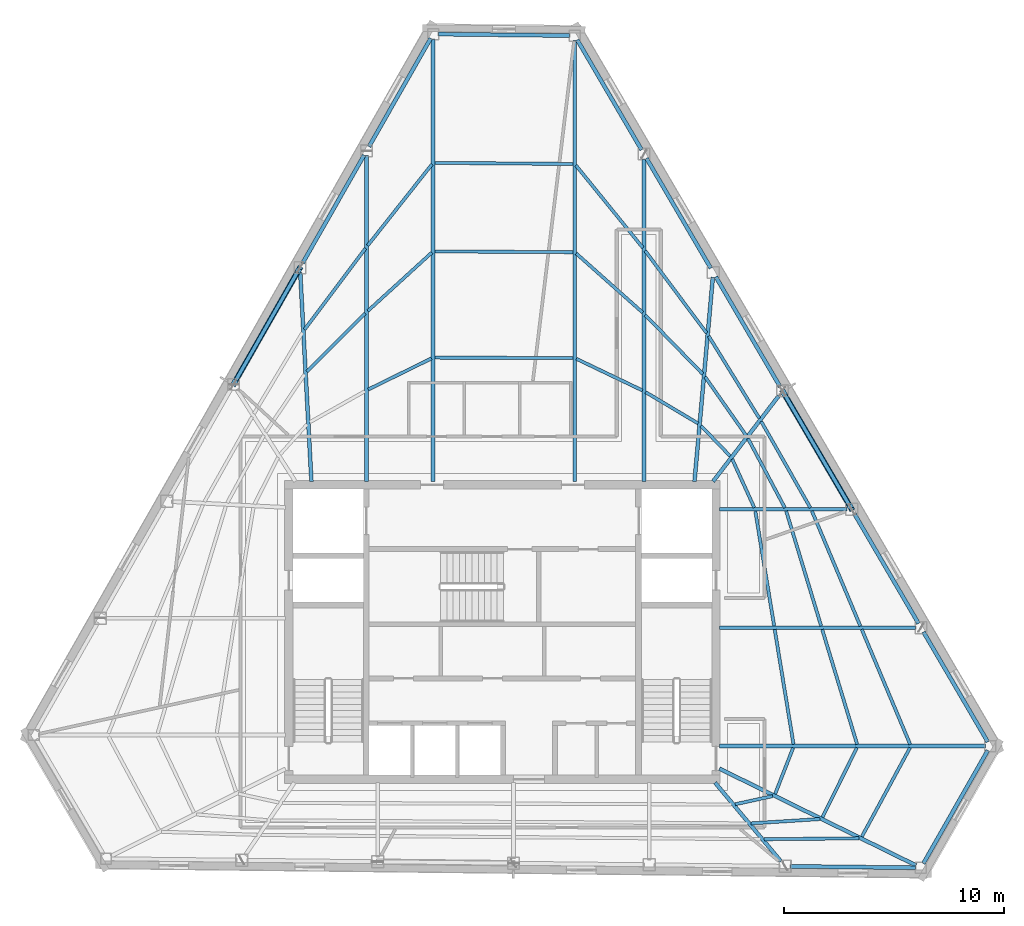
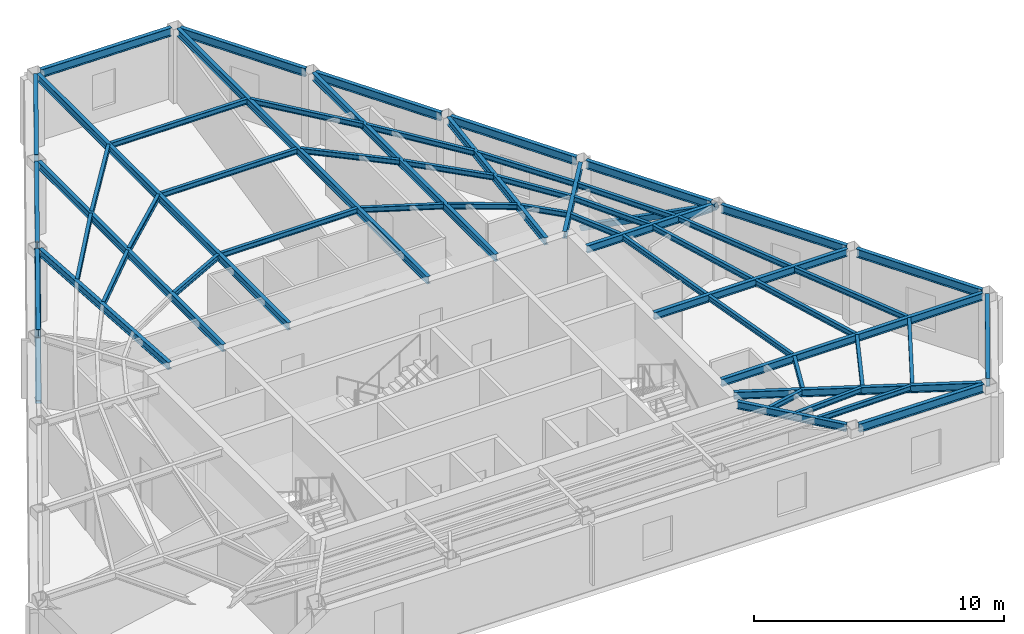
# One storey, part 2 of 10: 56 beams, 2 members.
"""IFC4 building model written with IfcOpenShell, lengths in metres."""

from ifc_helpers import new_model, si_unit, direction, frame, origin, origin_2d, place, context, subcontext, project, spatial, hollow_rectangle, i_section, extrude, material, material_profile, profile_set, type_object, element, save


model = new_model("IFC4")

# Units and contexts
model_context = context("Model", 3, precision=1e-05, world=origin(), true_north=direction((0.0, 1.0)))
body_context = subcontext(model_context, "Body", "Model", "MODEL_VIEW")
ifc_project = project(units=[si_unit("LENGTHUNIT", "METRE"), si_unit("AREAUNIT", "SQUARE_METRE"), si_unit("VOLUMEUNIT", "CUBIC_METRE"), si_unit("PLANEANGLEUNIT", "RADIAN"), si_unit("MASSUNIT", "GRAM", prefix="KILO")], contexts=[model_context])

# Site, building, storey
site_placement = place(None, origin())
site = spatial("IfcSite", under=ifc_project, at=site_placement, CompositionType="ELEMENT")
building_placement = place(site_placement, origin())
building = spatial("IfcBuilding", under=site, at=building_placement, Name="Kavelnor Concourse Tower", CompositionType="ELEMENT")
storey_placement = place(building_placement, frame((0.0, 0.0, 254.89990234375)))
storey = spatial("IfcBuildingStorey", under=building, at=storey_placement, Name="L64", CompositionType="ELEMENT", Elevation=254.89990234375)

# Beams
ifc_material = material(Name="Steel Grade 350", Category="steel")
ifc_material_profile_1 = material_profile(ifc_material, i_section(OverallWidth=0.14599609375, OverallDepth=0.256103515625, WebThickness=0.00634765625, FlangeThickness=0.010986328125, at=origin_2d()), Name="250UB37")
ifc_profile_set_1 = profile_set([ifc_material_profile_1], Name="Steel Grade 350")
beam_type_1 = type_object("IfcBeamType", Name="BM-JOIST-250", PredefinedType="JOIST", material=ifc_profile_set_1)
beam_1_placement = place(storey_placement, frame((48.584228515625, 8.26708984375, 3.482177734375), z_axis=(0.977091565739, 0.212819341606, 0.0), x_axis=(-0.212819341606, 0.977091565739, 0.0)))
element("IfcBeam", 1, at=beam_1_placement, inside=storey, type_object=beam_type_1, Name="L64 Secondary Composite Joist 07-1", PredefinedType="JOIST", context=body_context, shape_type="SweptSolid", body=[
    extrude(i_section(OverallWidth=0.14599609375, OverallDepth=0.256103515625, WebThickness=0.00634765625, FlangeThickness=0.010986328125, at=origin_2d()), origin(), (0.0, 0.0, 1.0), 1.74267578125),
])
beam_2_placement = place(storey_placement, frame((49.30419921875, 7.396728515625, 3.482177734375), z_axis=(0.998010196757, 0.063052733243, 0.0), x_axis=(-0.063052733243, 0.998010196757, 0.0)))
element("IfcBeam", 2, at=beam_2_placement, inside=storey, type_object=beam_type_1, Name="L64 Secondary Composite Joist 07-2", PredefinedType="JOIST", context=body_context, shape_type="SweptSolid", body=[
    extrude(i_section(OverallWidth=0.14599609375, OverallDepth=0.256103515625, WebThickness=0.00634765625, FlangeThickness=0.010986328125, at=origin_2d()), origin(), (0.0, 0.0, 1.0), 3.132568359375),
])
beam_3_placement = place(storey_placement, frame((49.903076171875, 6.67724609375, 3.482177734375), z_axis=(0.999954281384, 0.009562172441, 0.0), x_axis=(-0.009562172441, 0.999954281384, 0.0)))
element("IfcBeam", 3, at=beam_3_placement, inside=storey, type_object=beam_type_1, Name="L64 Secondary Composite Joist 07-3", PredefinedType="JOIST", context=body_context, shape_type="SweptSolid", body=[
    extrude(i_section(OverallWidth=0.14599609375, OverallDepth=0.256103515625, WebThickness=0.00634765625, FlangeThickness=0.010986328125, at=origin_2d()), origin(), (0.0, 0.0, 1.0), 4.31494140625),
])
beam_4_placement = place(storey_placement, frame((50.396728515625, 8.731689453125, 3.482177734375), z_axis=(0.363938496644, 0.931422981604, 0.0), x_axis=(-0.931422981604, 0.363938496644, 0.0)))
element("IfcBeam", 4, at=beam_4_placement, inside=storey, type_object=beam_type_1, Name="L64 Secondary Composite Joist 08-1", PredefinedType="JOIST", context=body_context, shape_type="SweptSolid", body=[
    extrude(i_section(OverallWidth=0.14599609375, OverallDepth=0.256103515625, WebThickness=0.00634765625, FlangeThickness=0.010986328125, at=origin_2d()), origin(), (0.0, 0.0, 1.0), 2.25732421875),
])
beam_5_placement = place(storey_placement, frame((52.548583984375, 7.6728515625, 3.482177734375), z_axis=(0.443753156488, 0.89614905909, 0.0), x_axis=(-0.89614905909, 0.443753156488, 0.0)))
element("IfcBeam", 5, at=beam_5_placement, inside=storey, type_object=beam_type_1, Name="L64 Secondary Composite Joist 08-2", PredefinedType="JOIST", context=body_context, shape_type="SweptSolid", body=[
    extrude(i_section(OverallWidth=0.14599609375, OverallDepth=0.256103515625, WebThickness=0.00634765625, FlangeThickness=0.010986328125, at=origin_2d()), origin(), (0.0, 0.0, 1.0), 3.531005859375),
])
beam_6_placement = place(storey_placement, frame((54.3388671875, 6.79150390625, 3.482177734375), z_axis=(0.476624814067, 0.879106811836, 0.0), x_axis=(-0.879106811836, 0.476624814067, 0.0)))
element("IfcBeam", 6, at=beam_6_placement, inside=storey, type_object=beam_type_1, Name="L64 Secondary Composite Joist 08-3", PredefinedType="JOIST", context=body_context, shape_type="SweptSolid", body=[
    extrude(i_section(OverallWidth=0.14599609375, OverallDepth=0.256103515625, WebThickness=0.00634765625, FlangeThickness=0.010986328125, at=origin_2d()), origin(), (0.0, 0.0, 1.0), 4.603515625),
])
beam_7_placement = place(storey_placement, frame((51.23486328125, 10.991455078125, 3.482177734375), z_axis=(-0.161600481046, 0.986856263356, 0.0), x_axis=(-0.986856263356, -0.161600481046, 0.0)))
element("IfcBeam", 7, at=beam_7_placement, inside=storey, type_object=beam_type_1, Name="L64 Secondary Composite Joist 09-1", PredefinedType="JOIST", context=body_context, shape_type="SweptSolid", body=[
    extrude(i_section(OverallWidth=0.14599609375, OverallDepth=0.256103515625, WebThickness=0.00634765625, FlangeThickness=0.010986328125, at=origin_2d()), origin(), (0.0, 0.0, 1.0), 5.292236328125),
])
beam_8_placement = place(storey_placement, frame((54.128173828125, 10.989013671875, 3.482177734375), z_axis=(-0.290941123025, 0.956740959159, 0.0), x_axis=(-0.956740959159, -0.290941123025, 0.0)))
element("IfcBeam", 8, at=beam_8_placement, inside=storey, type_object=beam_type_1, Name="L64 Secondary Composite Joist 09-2", PredefinedType="JOIST", context=body_context, shape_type="SweptSolid", body=[
    extrude(i_section(OverallWidth=0.14599609375, OverallDepth=0.256103515625, WebThickness=0.00634765625, FlangeThickness=0.010986328125, at=origin_2d()), origin(), (0.0, 0.0, 1.0), 5.463623046875),
])
beam_9_placement = place(storey_placement, frame((56.540283203125, 10.986083984375, 3.482177734375), z_axis=(-0.388047388956, 0.921639421859, 0.0), x_axis=(-0.921639421859, -0.388047388956, 0.0)))
element("IfcBeam", 9, at=beam_9_placement, inside=storey, type_object=beam_type_1, Name="L64 Secondary Composite Joist 09-3", PredefinedType="JOIST", context=body_context, shape_type="SweptSolid", body=[
    extrude(i_section(OverallWidth=0.14599609375, OverallDepth=0.256103515625, WebThickness=0.00634765625, FlangeThickness=0.010986328125, at=origin_2d()), origin(), (0.0, 0.0, 1.0), 5.677978515625),
])
beam_10_placement = place(storey_placement, frame((50.353271484375, 16.375732421875, 3.482177734375), z_axis=(-0.161607838348, 0.986855058549, 0.0), x_axis=(-0.986855058549, -0.161607838348, 0.0)))
element("IfcBeam", 10, at=beam_10_placement, inside=storey, type_object=beam_type_1, Name="L64 Secondary Composite Joist 10-1", PredefinedType="JOIST", context=body_context, shape_type="SweptSolid", body=[
    extrude(i_section(OverallWidth=0.14599609375, OverallDepth=0.256103515625, WebThickness=0.00634765625, FlangeThickness=0.010986328125, at=origin_2d()), origin(), (0.0, 0.0, 1.0), 5.2919921875),
])
beam_11_placement = place(storey_placement, frame((52.490966796875, 16.373291015625, 3.482177734375), z_axis=(-0.290941123025, 0.956740959159, 0.0), x_axis=(-0.956740959159, -0.290941123025, 0.0)))
element("IfcBeam", 11, at=beam_11_placement, inside=storey, type_object=beam_type_1, Name="L64 Secondary Composite Joist 10-2", PredefinedType="JOIST", context=body_context, shape_type="SweptSolid", body=[
    extrude(i_section(OverallWidth=0.14599609375, OverallDepth=0.256103515625, WebThickness=0.00634765625, FlangeThickness=0.010986328125, at=origin_2d()), origin(), (0.0, 0.0, 1.0), 5.463623046875),
])
beam_12_placement = place(storey_placement, frame((54.273193359375, 16.37060546875, 3.482177734375), z_axis=(-0.388062766928, 0.921632946961, 0.0), x_axis=(-0.921632946961, -0.388062766928, 0.0)))
element("IfcBeam", 12, at=beam_12_placement, inside=storey, type_object=beam_type_1, Name="L64 Secondary Composite Joist 10-3", PredefinedType="JOIST", context=body_context, shape_type="SweptSolid", body=[
    extrude(i_section(OverallWidth=0.14599609375, OverallDepth=0.256103515625, WebThickness=0.00634765625, FlangeThickness=0.010986328125, at=origin_2d()), origin(), (0.0, 0.0, 1.0), 5.677978515625),
])
beam_13_placement = place(storey_placement, frame((49.450927734375, 21.753662109375, 3.482177734375), z_axis=(-0.414106199902, 0.910228573053, 0.0), x_axis=(-0.910228573053, -0.414106199902, 0.0)))
element("IfcBeam", 13, at=beam_13_placement, inside=storey, type_object=beam_type_1, Name="L64 Secondary Composite Joist 11-1", PredefinedType="JOIST", context=body_context, shape_type="SweptSolid", body=[
    extrude(i_section(OverallWidth=0.14599609375, OverallDepth=0.256103515625, WebThickness=0.00634765625, FlangeThickness=0.010986328125, at=origin_2d()), origin(), (0.0, 0.0, 1.0), 2.426025390625),
])
beam_14_placement = place(storey_placement, frame((50.839111328125, 21.75146484375, 3.482177734375), z_axis=(-0.469495907621, 0.88293464805, 0.0), x_axis=(-0.88293464805, -0.469495907621, 0.0)))
element("IfcBeam", 14, at=beam_14_placement, inside=storey, type_object=beam_type_1, Name="L64 Secondary Composite Joist 11-2", PredefinedType="JOIST", context=body_context, shape_type="SweptSolid", body=[
    extrude(i_section(OverallWidth=0.14599609375, OverallDepth=0.256103515625, WebThickness=0.00634765625, FlangeThickness=0.010986328125, at=origin_2d()), origin(), (0.0, 0.0, 1.0), 3.5625),
])
beam_15_placement = place(storey_placement, frame((51.99755859375, 21.75048828125, 3.482177734375), z_axis=(-0.494455232513, 0.869203096543, 0.0), x_axis=(-0.869203096543, -0.494455232513, 0.0)))
element("IfcBeam", 15, at=beam_15_placement, inside=storey, type_object=beam_type_1, Name="L64 Secondary Composite Joist 11-3", PredefinedType="JOIST", context=body_context, shape_type="SweptSolid", body=[
    extrude(i_section(OverallWidth=0.14599609375, OverallDepth=0.256103515625, WebThickness=0.00634765625, FlangeThickness=0.010986328125, at=origin_2d()), origin(), (0.0, 0.0, 1.0), 4.515380859375),
])
beam_16_placement = place(storey_placement, frame((48.355712890625, 24.095703125, 3.482177734375), z_axis=(-0.693458712292, 0.720496366643, 0.0), x_axis=(-0.720496366643, -0.693458712292, 0.0)))
element("IfcBeam", 16, at=beam_16_placement, inside=storey, type_object=beam_type_1, Name="L64 Secondary Composite Joist 12-1", PredefinedType="JOIST", context=body_context, shape_type="SweptSolid", body=[
    extrude(i_section(OverallWidth=0.14599609375, OverallDepth=0.256103515625, WebThickness=0.00634765625, FlangeThickness=0.010986328125, at=origin_2d()), origin(), (0.0, 0.0, 1.0), 1.92333984375),
])
beam_17_placement = place(storey_placement, frame((49.0810546875, 25.03662109375, 3.482177734375), z_axis=(-0.573950476696, 0.818890011113, 0.0), x_axis=(-0.818890011113, -0.573950476696, 0.0)))
element("IfcBeam", 17, at=beam_17_placement, inside=storey, type_object=beam_type_1, Name="L64 Secondary Composite Joist 12-2", PredefinedType="JOIST", context=body_context, shape_type="SweptSolid", body=[
    extrude(i_section(OverallWidth=0.14599609375, OverallDepth=0.256103515625, WebThickness=0.00634765625, FlangeThickness=0.010986328125, at=origin_2d()), origin(), (0.0, 0.0, 1.0), 3.25537109375),
])
beam_18_placement = place(storey_placement, frame((49.681396484375, 25.81640625, 3.482177734375), z_axis=(-0.524745132544, 0.851259388125, 0.0), x_axis=(-0.851259388125, -0.524745132544, 0.0)))
element("IfcBeam", 18, at=beam_18_placement, inside=storey, type_object=beam_type_1, Name="L64 Secondary Composite Joist 12-3", PredefinedType="JOIST", context=body_context, shape_type="SweptSolid", body=[
    extrude(i_section(OverallWidth=0.14599609375, OverallDepth=0.256103515625, WebThickness=0.00634765625, FlangeThickness=0.010986328125, at=origin_2d()), origin(), (0.0, 0.0, 1.0), 4.394287109375),
])
beam_19_placement = place(storey_placement, frame((46.894775390625, 25.58251953125, 3.482177734375), z_axis=(-0.85885408237, 0.512220328761, 0.0), x_axis=(-0.512220328761, -0.85885408237, 0.0)))
element("IfcBeam", 19, at=beam_19_placement, inside=storey, type_object=beam_type_1, Name="L64 Secondary Composite Joist 13-1", PredefinedType="JOIST", context=body_context, shape_type="SweptSolid", body=[
    extrude(i_section(OverallWidth=0.14599609375, OverallDepth=0.256103515625, WebThickness=0.00634765625, FlangeThickness=0.010986328125, at=origin_2d()), origin(), (0.0, 0.0, 1.0), 2.779296875),
])
beam_20_placement = place(storey_placement, frame((47.1083984375, 27.828369140625, 3.482177734375), z_axis=(-0.697954751692, 0.71614186066, 0.0), x_axis=(-0.71614186066, -0.697954751692, 0.0)))
element("IfcBeam", 20, at=beam_20_placement, inside=storey, type_object=beam_type_1, Name="L64 Secondary Composite Joist 13-2", PredefinedType="JOIST", context=body_context, shape_type="SweptSolid", body=[
    extrude(i_section(OverallWidth=0.14599609375, OverallDepth=0.256103515625, WebThickness=0.00634765625, FlangeThickness=0.010986328125, at=origin_2d()), origin(), (0.0, 0.0, 1.0), 3.745361328125),
])
beam_21_placement = place(storey_placement, frame((47.283203125, 29.692626953125, 3.482177734375), z_axis=(-0.598335731467, 0.801245500736, 0.0), x_axis=(-0.801245500736, -0.598335731467, 0.0)))
element("IfcBeam", 21, at=beam_21_placement, inside=storey, type_object=beam_type_1, Name="L64 Secondary Composite Joist 13-3", PredefinedType="JOIST", context=body_context, shape_type="SweptSolid", body=[
    extrude(i_section(OverallWidth=0.14599609375, OverallDepth=0.256103515625, WebThickness=0.00634765625, FlangeThickness=0.010986328125, at=origin_2d()), origin(), (0.0, 0.0, 1.0), 4.67431640625),
])
beam_22_placement = place(storey_placement, frame((44.36328125, 27.08349609375, 3.482177734375), z_axis=(-0.901929200126, 0.431883917229, 0.0), x_axis=(-0.431883917229, -0.901929200126, 0.0)))
element("IfcBeam", 22, at=beam_22_placement, inside=storey, type_object=beam_type_1, Name="L64 Secondary Composite Joist 14-1", PredefinedType="JOIST", context=body_context, shape_type="SweptSolid", body=[
    extrude(i_section(OverallWidth=0.14599609375, OverallDepth=0.256103515625, WebThickness=0.00634765625, FlangeThickness=0.010986328125, at=origin_2d()), origin(), (0.0, 0.0, 1.0), 3.32666015625),
])
beam_23_placement = place(storey_placement, frame((44.3759765625, 30.623779296875, 3.482177734375), z_axis=(-0.747256282488, 0.664535964627, 0.0), x_axis=(-0.664535964627, -0.747256282488, 0.0)))
element("IfcBeam", 23, at=beam_23_placement, inside=storey, type_object=beam_type_1, Name="L64 Secondary Composite Joist 14-2", PredefinedType="JOIST", context=body_context, shape_type="SweptSolid", body=[
    extrude(i_section(OverallWidth=0.14599609375, OverallDepth=0.256103515625, WebThickness=0.00634765625, FlangeThickness=0.010986328125, at=origin_2d()), origin(), (0.0, 0.0, 1.0), 4.04931640625),
])
beam_24_placement = place(storey_placement, frame((44.385498046875, 33.5673828125, 3.482177734375), z_axis=(-0.630423247611, 0.776251588644, 0.0), x_axis=(-0.776251588644, -0.630423247611, 0.0)))
element("IfcBeam", 24, at=beam_24_placement, inside=storey, type_object=beam_type_1, Name="L64 Secondary Composite Joist 14-3", PredefinedType="JOIST", context=body_context, shape_type="SweptSolid", body=[
    extrude(i_section(OverallWidth=0.14599609375, OverallDepth=0.256103515625, WebThickness=0.00634765625, FlangeThickness=0.010986328125, at=origin_2d()), origin(), (0.0, 0.0, 1.0), 4.830078125),
])
for number, where, z_axis, x_axis, name in (
    (25, (41.206787109375, 28.555908203125, 3.482177734375), (-0.999995038677, 0.003150019372, 0.0), (-0.003150019372, -0.999995038677, 0.0), "L64 Secondary Composite Joist 15-1"),
    (26, (41.206787109375, 33.36962890625, 3.482177734375), (-0.999982986167, 0.0058332989, 0.0), (-0.0058332989, -0.999982986167, 0.0), "L64 Secondary Composite Joist 15-2"),
):
    element("IfcBeam", number, at=place(storey_placement, frame(where, z_axis=z_axis, x_axis=x_axis)), inside=storey, type_object=beam_type_1, Name=name, PredefinedType="JOIST", context=body_context, shape_type="SweptSolid", body=[
        extrude(i_section(OverallWidth=0.14599609375, OverallDepth=0.256103515625, WebThickness=0.00634765625, FlangeThickness=0.010986328125, at=origin_2d()), origin(), (0.0, 0.0, 1.0), 6.27783203125),
    ])
beam_25_placement = place(storey_placement, frame((41.206787109375, 37.381103515625, 3.482177734375), z_axis=(-0.999967599605, 0.008049828619, 0.0), x_axis=(-0.008049828619, -0.999967599605, 0.0)))
element("IfcBeam", 27, at=beam_25_placement, inside=storey, type_object=beam_type_1, Name="L64 Secondary Composite Joist 15-3", PredefinedType="JOIST", context=body_context, shape_type="SweptSolid", body=[
    extrude(i_section(OverallWidth=0.14599609375, OverallDepth=0.256103515625, WebThickness=0.00634765625, FlangeThickness=0.010986328125, at=origin_2d()), origin(), (0.0, 0.0, 1.0), 6.278076171875),
])
beam_26_placement = place(storey_placement, frame((34.773193359375, 28.539794921875, 3.482177734375), z_axis=(-0.897495151022, -0.44102432347, 0.0), x_axis=(0.44102432347, -0.897495151022, 0.0)))
element("IfcBeam", 28, at=beam_26_placement, inside=storey, type_object=beam_type_1, Name="L64 Secondary Composite Joist 16-1", PredefinedType="JOIST", context=body_context, shape_type="SweptSolid", body=[
    extrude(i_section(OverallWidth=0.14599609375, OverallDepth=0.256103515625, WebThickness=0.00634765625, FlangeThickness=0.010986328125, at=origin_2d()), origin(), (0.0, 0.0, 1.0), 3.20849609375),
])
beam_27_placement = place(storey_placement, frame((34.786376953125, 33.351318359375, 3.482177734375), z_axis=(-0.738672230038, -0.674064786627, 0.0), x_axis=(0.674064786627, -0.738672230038, 0.0)))
element("IfcBeam", 29, at=beam_27_placement, inside=storey, type_object=beam_type_1, Name="L64 Secondary Composite Joist 16-2", PredefinedType="JOIST", context=body_context, shape_type="SweptSolid", body=[
    extrude(i_section(OverallWidth=0.14599609375, OverallDepth=0.256103515625, WebThickness=0.00634765625, FlangeThickness=0.010986328125, at=origin_2d()), origin(), (0.0, 0.0, 1.0), 3.933837890625),
])
beam_28_placement = place(storey_placement, frame((34.7958984375, 37.367919921875, 3.482177734375), z_axis=(-0.62059945225, -0.78412774461, 0.0), x_axis=(0.78412774461, -0.62059945225, 0.0)))
element("IfcBeam", 30, at=beam_28_placement, inside=storey, type_object=beam_type_1, Name="L64 Secondary Composite Joist 16-3", PredefinedType="JOIST", context=body_context, shape_type="SweptSolid", body=[
    extrude(i_section(OverallWidth=0.14599609375, OverallDepth=0.256103515625, WebThickness=0.00634765625, FlangeThickness=0.010986328125, at=origin_2d()), origin(), (0.0, 0.0, 1.0), 4.71337890625),
])
beam_29_placement = place(storey_placement, frame((31.76171875, 30.58642578125, 3.482177734375), z_axis=(-0.708245673026, -0.705966052045, 0.0), x_axis=(0.705966052045, -0.708245673026, 0.0)))
element("IfcBeam", 31, at=beam_29_placement, inside=storey, type_object=beam_type_1, Name="L64 Secondary Composite Joist 17-2", PredefinedType="JOIST", context=body_context, shape_type="SweptSolid", body=[
    extrude(i_section(OverallWidth=0.14599609375, OverallDepth=0.256103515625, WebThickness=0.00634765625, FlangeThickness=0.010986328125, at=origin_2d()), origin(), (0.0, 0.0, 1.0), 3.748291015625),
])
beam_30_placement = place(storey_placement, frame((31.770751953125, 33.5419921875, 3.482177734375), z_axis=(-0.600583300443, -0.799562192221, 0.0), x_axis=(0.799562192221, -0.600583300443, 0.0)))
element("IfcBeam", 32, at=beam_30_placement, inside=storey, type_object=beam_type_1, Name="L64 Secondary Composite Joist 17-3", PredefinedType="JOIST", context=body_context, shape_type="SweptSolid", body=[
    extrude(i_section(OverallWidth=0.14599609375, OverallDepth=0.256103515625, WebThickness=0.00634765625, FlangeThickness=0.010986328125, at=origin_2d()), origin(), (0.0, 0.0, 1.0), 4.61962890625),
])
ifc_material_profile_2 = material_profile(ifc_material, i_section(OverallWidth=0.172119140625, OverallDepth=0.35888671875, WebThickness=0.008056640625, FlangeThickness=0.012939453125, at=origin_2d()), Name="360UB56")
ifc_profile_set_2 = profile_set([ifc_material_profile_2], Name="Steel Grade 350")
beam_type_2 = type_object("IfcBeamType", Name="BM-PRIMARY-360", PredefinedType="BEAM", material=ifc_profile_set_2)
beam_31_placement = place(storey_placement, frame((34.846923828125, 22.93994140625, 3.4306640625), z_axis=(0.0, 1.0, 0.0), x_axis=(-1.0, 0.0, 0.0)))
element("IfcBeam", 33, at=beam_31_placement, inside=storey, type_object=beam_type_2, Name="L64 Primary Floor Girder F0-B0", PredefinedType="BEAM", context=body_context, shape_type="SweptSolid", body=[
    extrude(i_section(OverallWidth=0.172119140625, OverallDepth=0.35888671875, WebThickness=0.008056640625, FlangeThickness=0.012939453125, at=origin_2d()), origin(), (0.0, 0.0, 1.0), 20.128173828125),
])
beam_32_placement = place(storey_placement, frame((31.81982421875, 22.93994140625, 3.4306640625), z_axis=(0.0, 1.0, 0.0), x_axis=(-1.0, 0.0, 0.0)))
element("IfcBeam", 34, at=beam_32_placement, inside=storey, type_object=beam_type_2, Name="L64 Primary Floor Girder F0-B1", PredefinedType="BEAM", context=body_context, shape_type="SweptSolid", body=[
    extrude(i_section(OverallWidth=0.172119140625, OverallDepth=0.35888671875, WebThickness=0.008056640625, FlangeThickness=0.012939453125, at=origin_2d()), origin(), (0.0, 0.0, 1.0), 14.816162109375),
])
beam_33_placement = place(storey_placement, frame((29.313720703125, 22.940185546875, 3.4306640625), z_axis=(-0.05348375925, 0.998568719466, 0.0), x_axis=(-0.998568719466, -0.05348375925, 0.0)))
element("IfcBeam", 35, at=beam_33_placement, inside=storey, type_object=beam_type_2, Name="L64 Primary Floor Girder F0-B2", PredefinedType="BEAM", context=body_context, shape_type="SweptSolid", body=[
    extrude(i_section(OverallWidth=0.172119140625, OverallDepth=0.35888671875, WebThickness=0.008056640625, FlangeThickness=0.012939453125, at=origin_2d()), origin(), (0.0, 0.0, 1.0), 9.517578125),
])
beam_34_placement = place(storey_placement, frame((47.666015625, 9.250732421875, 3.4306640625), z_axis=(0.641908021477, -0.766781645557, 0.0), x_axis=(0.766781645557, 0.641908021477, 0.0)))
element("IfcBeam", 36, at=beam_34_placement, inside=storey, type_object=beam_type_2, Name="L64 Primary Floor Girder F1-B5", PredefinedType="BEAM", context=body_context, shape_type="SweptSolid", body=[
    extrude(i_section(OverallWidth=0.172119140625, OverallDepth=0.35888671875, WebThickness=0.008056640625, FlangeThickness=0.012939453125, at=origin_2d()), origin(), (0.0, 0.0, 1.0), 4.662841796875),
])
beam_35_placement = place(storey_placement, frame((47.864013671875, 9.887451171875, 3.4306640625), z_axis=(0.897183971648, -0.441657017399, 0.0), x_axis=(0.441657017399, 0.897183971648, 0.0)))
element("IfcBeam", 37, at=beam_35_placement, inside=storey, type_object=beam_type_2, Name="L64 Primary Floor Girder F1-B6", PredefinedType="BEAM", context=body_context, shape_type="SweptSolid", body=[
    extrude(i_section(OverallWidth=0.172119140625, OverallDepth=0.35888671875, WebThickness=0.008056640625, FlangeThickness=0.012939453125, at=origin_2d()), origin(), (0.0, 0.0, 1.0), 9.962890625),
])
beam_36_placement = place(storey_placement, frame((47.860107421875, 10.91064453125, 3.4306640625), z_axis=(1.0, 0.0, 0.0), x_axis=(0.0, 1.0, 0.0)))
element("IfcBeam", 38, at=beam_36_placement, inside=storey, type_object=beam_type_2, Name="L64 Primary Floor Girder F2-B0", PredefinedType="BEAM", context=body_context, shape_type="SweptSolid", body=[
    extrude(i_section(OverallWidth=0.172119140625, OverallDepth=0.35888671875, WebThickness=0.008056640625, FlangeThickness=0.012939453125, at=origin_2d()), origin(), (0.0, 0.0, 1.0), 12.099853515625),
])
beam_37_placement = place(storey_placement, frame((47.860107421875, 16.294921875, 3.4306640625), z_axis=(1.0, 0.0, 0.0), x_axis=(0.0, 1.0, 0.0)))
element("IfcBeam", 39, at=beam_37_placement, inside=storey, type_object=beam_type_2, Name="L64 Primary Floor Girder F2-B1", PredefinedType="BEAM", context=body_context, shape_type="SweptSolid", body=[
    extrude(i_section(OverallWidth=0.172119140625, OverallDepth=0.35888671875, WebThickness=0.008056640625, FlangeThickness=0.012939453125, at=origin_2d()), origin(), (0.0, 0.0, 1.0), 8.951416015625),
])
beam_38_placement = place(storey_placement, frame((47.860107421875, 21.67919921875, 3.4306640625), z_axis=(1.0, 0.0, 0.0), x_axis=(0.0, 1.0, 0.0)))
element("IfcBeam", 40, at=beam_38_placement, inside=storey, type_object=beam_type_2, Name="L64 Primary Floor Girder F2-B2", PredefinedType="BEAM", context=body_context, shape_type="SweptSolid", body=[
    extrude(i_section(OverallWidth=0.172119140625, OverallDepth=0.35888671875, WebThickness=0.008056640625, FlangeThickness=0.012939453125, at=origin_2d()), origin(), (0.0, 0.0, 1.0), 5.802734375),
])
beam_39_placement = place(storey_placement, frame((47.57763671875, 22.9482421875, 3.4306640625), z_axis=(0.608672161295, 0.793421829839, 0.0), x_axis=(-0.793421829839, 0.608672161295, 0.0)))
element("IfcBeam", 41, at=beam_39_placement, inside=storey, type_object=beam_type_2, Name="L64 Primary Floor Girder F2-B3", PredefinedType="BEAM", context=body_context, shape_type="SweptSolid", body=[
    extrude(i_section(OverallWidth=0.172119140625, OverallDepth=0.35888671875, WebThickness=0.008056640625, FlangeThickness=0.012939453125, at=origin_2d()), origin(), (0.0, 0.0, 1.0), 4.898681640625),
])
beam_40_placement = place(storey_placement, frame((46.7314453125, 22.940185546875, 3.4306640625), z_axis=(0.089518226726, 0.995985184169, 0.0), x_axis=(-0.995985184169, 0.089518226726, 0.0)))
element("IfcBeam", 42, at=beam_40_placement, inside=storey, type_object=beam_type_2, Name="L64 Primary Floor Girder F2-B4", PredefinedType="BEAM", context=body_context, shape_type="SweptSolid", body=[
    extrude(i_section(OverallWidth=0.172119140625, OverallDepth=0.35888671875, WebThickness=0.008056640625, FlangeThickness=0.012939453125, at=origin_2d()), origin(), (0.0, 0.0, 1.0), 9.324462890625),
])
beam_41_placement = place(storey_placement, frame((44.437255859375, 22.93994140625, 3.4306640625), z_axis=(0.0, 1.0, 0.0), x_axis=(-1.0, 0.0, 0.0)))
element("IfcBeam", 43, at=beam_41_placement, inside=storey, type_object=beam_type_2, Name="L64 Primary Floor Girder F2-B5", PredefinedType="BEAM", context=body_context, shape_type="SweptSolid", body=[
    extrude(i_section(OverallWidth=0.172119140625, OverallDepth=0.35888671875, WebThickness=0.008056640625, FlangeThickness=0.012939453125, at=origin_2d()), origin(), (0.0, 0.0, 1.0), 14.671875),
])
beam_42_placement = place(storey_placement, frame((41.288818359375, 22.93994140625, 3.4306640625), z_axis=(0.0, 1.0, 0.0), x_axis=(-1.0, 0.0, 0.0)))
element("IfcBeam", 44, at=beam_42_placement, inside=storey, type_object=beam_type_2, Name="L64 Primary Floor Girder F2-B6", PredefinedType="BEAM", context=body_context, shape_type="SweptSolid", body=[
    extrude(i_section(OverallWidth=0.172119140625, OverallDepth=0.35888671875, WebThickness=0.008056640625, FlangeThickness=0.012939453125, at=origin_2d()), origin(), (0.0, 0.0, 1.0), 20.05615234375),
])
ifc_material_profile_3 = material_profile(ifc_material, i_section(OverallWidth=0.177978515625, OverallDepth=0.406005859375, WebThickness=0.0078125, FlangeThickness=0.0126953125, at=origin_2d()), Name="410UB59")
ifc_profile_set_3 = profile_set([ifc_material_profile_3], Name="Steel Grade 350")
beam_type_3 = type_object("IfcBeamType", Name="BM-SPANDREL-Z4", PredefinedType="SPANDREL", material=ifc_profile_set_3)
for number, where, z_axis, x_axis, name in (
    (45, (34.735595703125, 43.0927734375, 3.406982421875), (-0.495089497601, -0.868841981816, 0.0), (0.868841981816, -0.495089497601, 0.0), "L64 Perimeter Tube Spandrel Beam F0-B0"),
    (46, (31.70849609375, 37.78076171875, 3.406982421875), (-0.495089497601, -0.868841981816, 0.0), (0.868841981816, -0.495089497601, 0.0), "L64 Perimeter Tube Spandrel Beam F0-B1"),
    (47, (28.681396484375, 32.46875, 3.406982421875), (-0.495089497601, -0.868841981816, 0.0), (0.868841981816, -0.495089497601, 0.0), "L64 Perimeter Tube Spandrel Beam F0-B2"),
):
    element("IfcBeam", number, at=place(storey_placement, frame(where, z_axis=z_axis, x_axis=x_axis)), inside=storey, type_object=beam_type_3, Name=name, PredefinedType="SPANDREL", context=body_context, shape_type="SweptSolid", body=[
        extrude(i_section(OverallWidth=0.177978515625, OverallDepth=0.406005859375, WebThickness=0.0078125, FlangeThickness=0.0126953125, at=origin_2d()), origin(), (0.0, 0.0, 1.0), 5.6640625),
    ])
beam_43_placement = place(storey_placement, frame((41.063720703125, 43.218505859375, 3.406982421875), z_axis=(-0.999937226753, 0.011204577351, 0.0), x_axis=(-0.011204577351, -0.999937226753, 0.0)))
element("IfcBeam", 48, at=beam_43_placement, inside=storey, type_object=beam_type_3, Name="L64 Chamfer Facet Spandrel Beam C0", PredefinedType="SPANDREL", context=body_context, shape_type="SweptSolid", body=[
    extrude(i_section(OverallWidth=0.177978515625, OverallDepth=0.406005859375, WebThickness=0.0078125, FlangeThickness=0.0126953125, at=origin_2d()), origin(), (0.0, 0.0, 1.0), 5.9921875),
])
beam_44_placement = place(storey_placement, frame((51.076171875, 5.443603515625, 3.406982421875), z_axis=(0.999937124599, -0.011213690251, 0.0), x_axis=(0.011213690251, 0.999937124599, 0.0)))
element("IfcBeam", 49, at=beam_44_placement, inside=storey, type_object=beam_type_3, Name="L64 Perimeter Tube Spandrel Beam F1-B5", PredefinedType="SPANDREL", context=body_context, shape_type="SweptSolid", body=[
    extrude(i_section(OverallWidth=0.177978515625, OverallDepth=0.406005859375, WebThickness=0.0078125, FlangeThickness=0.0126953125, at=origin_2d()), origin(), (0.0, 0.0, 1.0), 5.725830078125),
])
for number, where, z_axis, x_axis, name in (
    (50, (60.06640625, 11.104736328125, 3.406982421875), (-0.504791388124, 0.863241365133, 0.0), (-0.863241365133, -0.504791388124, 0.0), "L64 Perimeter Tube Spandrel Beam F2-B0"),
    (51, (56.91796875, 16.489013671875, 3.406982421875), (-0.504791388124, 0.863241365133, 0.0), (-0.863241365133, -0.504791388124, 0.0), "L64 Perimeter Tube Spandrel Beam F2-B1"),
    (52, (53.769287109375, 21.873291015625, 3.406982421875), (-0.504791388124, 0.863241365133, 0.0), (-0.863241365133, -0.504791388124, 0.0), "L64 Perimeter Tube Spandrel Beam F2-B2"),
    (53, (50.620849609375, 27.257568359375, 3.406982421875), (-0.504791388124, 0.863241365133, 0.0), (-0.863241365133, -0.504791388124, 0.0), "L64 Perimeter Tube Spandrel Beam F2-B3"),
    (54, (47.472412109375, 32.641845703125, 3.406982421875), (-0.50482282313, 0.863222982344, 0.0), (-0.863222982344, -0.50482282313, 0.0), "L64 Perimeter Tube Spandrel Beam F2-B4"),
):
    element("IfcBeam", number, at=place(storey_placement, frame(where, z_axis=z_axis, x_axis=x_axis)), inside=storey, type_object=beam_type_3, Name=name, PredefinedType="SPANDREL", context=body_context, shape_type="SweptSolid", body=[
        extrude(i_section(OverallWidth=0.177978515625, OverallDepth=0.406005859375, WebThickness=0.0078125, FlangeThickness=0.0126953125, at=origin_2d()), origin(), (0.0, 0.0, 1.0), 5.787353515625),
    ])
beam_45_placement = place(storey_placement, frame((44.32373046875, 38.02587890625, 3.406982421875), z_axis=(-0.504773006071, 0.86325211401, 0.0), x_axis=(-0.86325211401, -0.504773006071, 0.0)))
element("IfcBeam", 55, at=beam_45_placement, inside=storey, type_object=beam_type_3, Name="L64 Perimeter Tube Spandrel Beam F2-B5", PredefinedType="SPANDREL", context=body_context, shape_type="SweptSolid", body=[
    extrude(i_section(OverallWidth=0.177978515625, OverallDepth=0.406005859375, WebThickness=0.0078125, FlangeThickness=0.0126953125, at=origin_2d()), origin(), (0.0, 0.0, 1.0), 5.78759765625),
])
beam_46_placement = place(storey_placement, frame((57.13818359375, 5.572509765625, 3.406982421875), z_axis=(0.495094698717, 0.86883901806, 0.0), x_axis=(-0.86883901806, 0.495094698717, 0.0)))
element("IfcBeam", 56, at=beam_46_placement, inside=storey, type_object=beam_type_3, Name="L64 Chamfer Facet Spandrel Beam C2", PredefinedType="SPANDREL", context=body_context, shape_type="SweptSolid", body=[
    extrude(i_section(OverallWidth=0.177978515625, OverallDepth=0.406005859375, WebThickness=0.0078125, FlangeThickness=0.0126953125, at=origin_2d()), origin(), (0.0, 0.0, 1.0), 5.9189453125),
])

# Members
ifc_material_profile_4 = material_profile(ifc_material, hollow_rectangle(XDim=0.25, YDim=0.25, WallThickness=0.01611328125, at=origin_2d()), Name="SHS 250x250x16")
ifc_profile_set_4 = profile_set([ifc_material_profile_4], Name="Steel Grade 350")
member_type = type_object("IfcMemberType", Name="MBR-TUBE-DIAG-Z4", PredefinedType="BRACE", material=ifc_profile_set_4)
member_1_placement = place(storey_placement, frame((25.765869140625, 27.352294921875, 0.22021484375), z_axis=(0.439050098131, 0.770453426496, 0.462208317679), x_axis=(-0.868829834203, 0.49511081507, 0.0)))
element("IfcMember", 57, at=member_1_placement, inside=storey, type_object=member_type, Name="L64 Framed-Tube Bracing Diagonal F0-B2", PredefinedType="BRACE", context=body_context, shape_type="SweptSolid", body=[
    extrude(hollow_rectangle(XDim=0.25, YDim=0.25, WallThickness=0.01611328125, at=origin_2d()), origin(), (0.0, 0.0, 1.0), 6.894775390625),
])
member_2_placement = place(storey_placement, frame((50.734375, 27.063232421875, 0.22021484375), z_axis=(0.449520174587, -0.768708778704, 0.454992775968), x_axis=(0.863237489048, 0.50479801654, 0.0)))
element("IfcMember", 58, at=member_2_placement, inside=storey, type_object=member_type, Name="L64 Framed-Tube Bracing Diagonal F2-B2", PredefinedType="BRACE", context=body_context, shape_type="SweptSolid", body=[
    extrude(hollow_rectangle(XDim=0.25, YDim=0.25, WallThickness=0.01611328125, at=origin_2d()), origin(), (0.0, 0.0, 1.0), 7.00390625),
])

save(model, "model.ifc")
